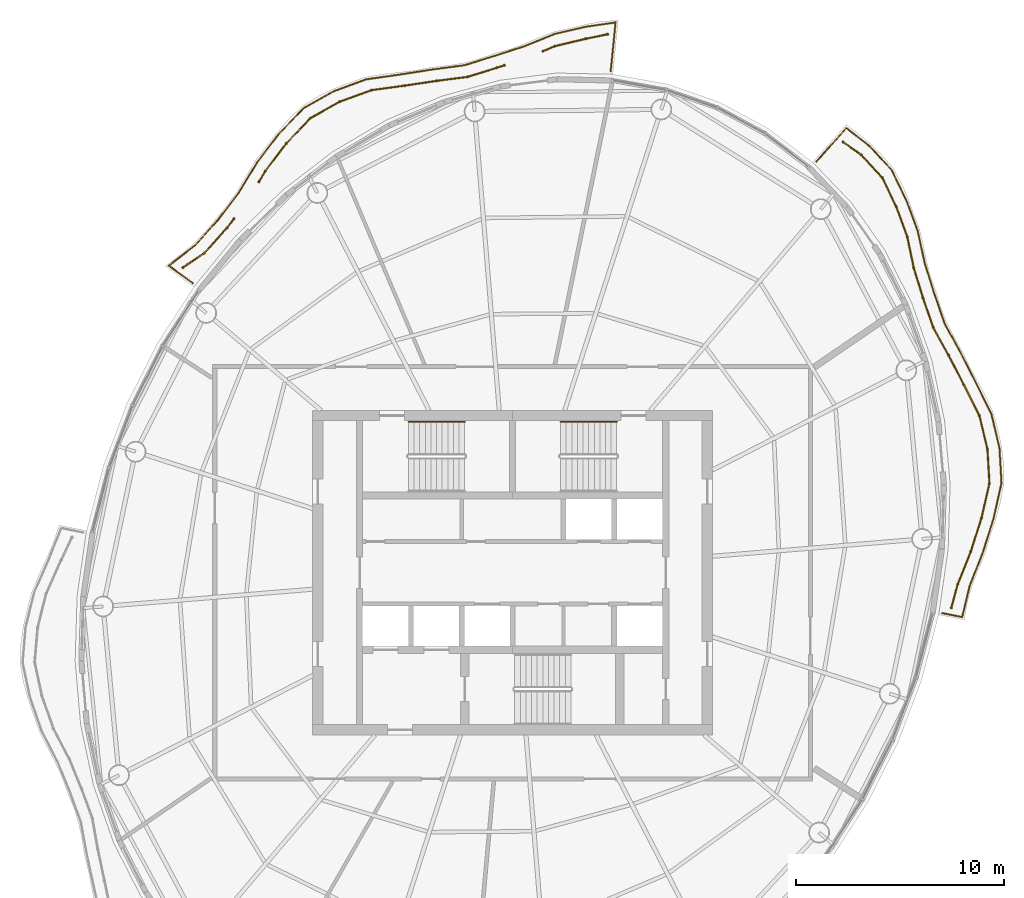
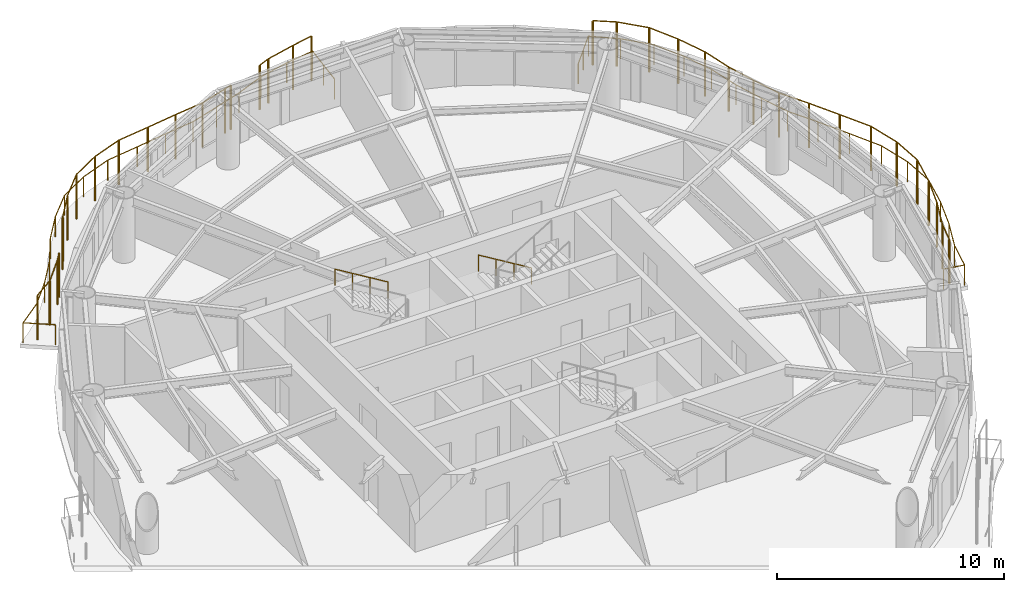
# One storey, part 13 of 13: 8 railings.
"""IFC4 building model written with IfcOpenShell, lengths in metres."""

from ifc_helpers import new_model, si_unit, direction, frame, origin, origin_2d, place, context, subcontext, project, spatial, circle, extrude, material, type_object, element, save


model = new_model("IFC4")

# Units and contexts
model_context = context("Model", 3, precision=1e-05, world=origin(), true_north=direction((0.0, 1.0)))
body_context = subcontext(model_context, "Body", "Model", "MODEL_VIEW")
ifc_project = project(units=[si_unit("LENGTHUNIT", "METRE"), si_unit("AREAUNIT", "SQUARE_METRE"), si_unit("VOLUMEUNIT", "CUBIC_METRE"), si_unit("PLANEANGLEUNIT", "RADIAN"), si_unit("MASSUNIT", "GRAM", prefix="KILO")], contexts=[model_context])

# Site, building, storey
site_placement = place(None, origin())
site = spatial("IfcSite", under=ifc_project, at=site_placement, CompositionType="ELEMENT")
building_placement = place(site_placement, origin())
building = spatial("IfcBuilding", under=site, at=building_placement, Name="Vermilion Reach Broadcast Tower", CompositionType="ELEMENT")
storey_placement = place(building_placement, frame((0.0, 0.0, 297.300048828125)))
storey = spatial("IfcBuildingStorey", under=building, at=storey_placement, Name="L74", CompositionType="ELEMENT", Elevation=297.300048828125)

# Railings
ifc_material_1 = material(Name="Terracotta baguette", Category="masonry")
railing_type_1 = type_object("IfcRailingType", Name="BAGUETTE SCREEN", PredefinedType="USERDEFINED", material=ifc_material_1)
railing_1_placement = place(storey_placement, frame((-1.44384765625, 25.855712890625, 0.0)))
element("IfcRailing", 1, at=railing_1_placement, inside=storey, type_object=railing_type_1, Name="Baguette screen L74 group 1 part 1", ObjectType="BAGUETTE SCREEN", PredefinedType="USERDEFINED", context=body_context, shape_type="SweptSolid", body=[
    extrude(circle(Radius=0.030029296875, at=origin_2d()), frame((0.0, 0.0, 2.369873046875), z_axis=(-0.97933755678, -0.202232415505, 0.0), x_axis=(0.202232415505, -0.97933755678, 0.0)), (0.0, 0.0, 1.0), 1.081787109375),
    extrude(circle(Radius=0.030029296875, at=origin_2d()), frame((-1.059326171875, -0.21875, 2.369873046875), z_axis=(-0.972605264394, -0.232462899563, 0.0), x_axis=(0.232462899563, -0.972605264394, 0.0)), (0.0, 0.0, 1.0), 1.501953125),
    extrude(circle(Radius=0.030029296875, at=origin_2d()), frame((-2.52001953125, -0.56787109375, 2.369873046875), z_axis=(-0.923100046432, -0.384559883865, 0.0), x_axis=(0.384559883865, -0.923100046432, 0.0)), (0.0, 0.0, 1.0), 0.624755859375),
    extrude(circle(Radius=0.050048828125, at=origin_2d()), origin(), (0.0, 0.0, 1.0), 2.33984375),
    extrude(circle(Radius=0.050048828125, at=origin_2d()), frame((-1.059326171875, -0.21875, 0.0)), (0.0, 0.0, 1.0), 2.33984375),
    extrude(circle(Radius=0.050048828125, at=origin_2d()), frame((-2.52001953125, -0.56787109375, 0.0)), (0.0, 0.0, 1.0), 2.33984375),
    extrude(circle(Radius=0.050048828125, at=origin_2d()), frame((-3.0966796875, -0.80810546875, 0.0)), (0.0, 0.0, 1.0), 2.33984375),
])
railing_2_placement = place(storey_placement, frame((-6.3984375, 24.365234375, 0.0)))
element("IfcRailing", 2, at=railing_2_placement, inside=storey, type_object=railing_type_1, Name="Baguette screen L74 group 1 part 2", ObjectType="BAGUETTE SCREEN", PredefinedType="USERDEFINED", context=body_context, shape_type="SweptSolid", body=[
    extrude(circle(Radius=0.030029296875, at=origin_2d()), frame((0.0, 0.0, 2.369873046875), z_axis=(-0.950506129401, -0.310705806142, 0.0), x_axis=(0.310705806142, -0.950506129401, 0.0)), (0.0, 0.0, 1.0), 0.385009765625),
    extrude(circle(Radius=0.030029296875, at=origin_2d()), frame((-0.365966796875, -0.11962890625, 2.369873046875), z_axis=(-0.95472002098, -0.297505767237, 0.0), x_axis=(0.297505767237, -0.95472002098, 0.0)), (0.0, 0.0, 1.0), 1.464111328125),
    extrude(circle(Radius=0.030029296875, at=origin_2d()), frame((-1.763671875, -0.55517578125, 2.369873046875), z_axis=(-0.991891751062, -0.127085617501, 0.0), x_axis=(0.127085617501, -0.991891751062, 0.0)), (0.0, 0.0, 1.0), 1.48681640625),
    extrude(circle(Radius=0.030029296875, at=origin_2d()), frame((-3.238525390625, -0.744140625, 2.369873046875), z_axis=(-0.989034819561, -0.147682516556, 0.0), x_axis=(0.147682516556, -0.989034819561, 0.0)), (0.0, 0.0, 1.0), 1.560546875),
    extrude(circle(Radius=0.030029296875, at=origin_2d()), frame((-4.781982421875, -0.974609375, 2.369873046875), z_axis=(-0.990820065894, -0.13518726649, 0.0), x_axis=(0.13518726649, -0.990820065894, 0.0)), (0.0, 0.0, 1.0), 1.6181640625),
    extrude(circle(Radius=0.030029296875, at=origin_2d()), frame((-6.38525390625, -1.193359375, 2.369873046875), z_axis=(-0.939265855243, -0.343190403675, 0.0), x_axis=(0.343190403675, -0.939265855243, 0.0)), (0.0, 0.0, 1.0), 1.624755859375),
    extrude(circle(Radius=0.030029296875, at=origin_2d()), frame((-7.911376953125, -1.7509765625, 2.369873046875), z_axis=(-0.8715391604, -0.49032590375, 0.0), x_axis=(0.49032590375, -0.8715391604, 0.0)), (0.0, 0.0, 1.0), 1.61328125),
    extrude(circle(Radius=0.030029296875, at=origin_2d()), frame((-9.3173828125, -2.5419921875, 2.369873046875), z_axis=(-0.689929158871, -0.723876892669, 0.0), x_axis=(0.723876892669, -0.689929158871, 0.0)), (0.0, 0.0, 1.0), 1.66845703125),
    extrude(circle(Radius=0.030029296875, at=origin_2d()), frame((-10.468505859375, -3.749755859375, 2.369873046875), z_axis=(-0.605582543309, -0.795782497445, 0.0), x_axis=(0.795782497445, -0.605582543309, 0.0)), (0.0, 0.0, 1.0), 1.660888671875),
    extrude(circle(Radius=0.030029296875, at=origin_2d()), frame((-11.474365234375, -5.071533203125, 2.369873046875), z_axis=(-0.510994922558, -0.859583730139, 0.0), x_axis=(0.859583730139, -0.510994922558, 0.0)), (0.0, 0.0, 1.0), 0.605712890625),
    extrude(circle(Radius=0.050048828125, at=origin_2d()), origin(), (0.0, 0.0, 1.0), 2.33984375),
    extrude(circle(Radius=0.050048828125, at=origin_2d()), frame((-0.365966796875, -0.11962890625, 0.0)), (0.0, 0.0, 1.0), 2.33984375),
    extrude(circle(Radius=0.050048828125, at=origin_2d()), frame((-1.763671875, -0.55517578125, 0.0)), (0.0, 0.0, 1.0), 2.33984375),
    extrude(circle(Radius=0.050048828125, at=origin_2d()), frame((-3.238525390625, -0.744140625, 0.0)), (0.0, 0.0, 1.0), 2.33984375),
    extrude(circle(Radius=0.050048828125, at=origin_2d()), frame((-4.781982421875, -0.974609375, 0.0)), (0.0, 0.0, 1.0), 2.33984375),
    extrude(circle(Radius=0.050048828125, at=origin_2d()), frame((-6.38525390625, -1.193359375, 0.0)), (0.0, 0.0, 1.0), 2.33984375),
    extrude(circle(Radius=0.050048828125, at=origin_2d()), frame((-7.911376953125, -1.7509765625, 0.0)), (0.0, 0.0, 1.0), 2.33984375),
    extrude(circle(Radius=0.050048828125, at=origin_2d()), frame((-9.3173828125, -2.5419921875, 0.0)), (0.0, 0.0, 1.0), 2.33984375),
    extrude(circle(Radius=0.050048828125, at=origin_2d()), frame((-10.468505859375, -3.749755859375, 0.0)), (0.0, 0.0, 1.0), 2.33984375),
    extrude(circle(Radius=0.050048828125, at=origin_2d()), frame((-11.474365234375, -5.071533203125, 0.0)), (0.0, 0.0, 1.0), 2.33984375),
    extrude(circle(Radius=0.050048828125, at=origin_2d()), frame((-11.783935546875, -5.59228515625, 0.0)), (0.0, 0.0, 1.0), 2.33984375),
])
railing_3_placement = place(storey_placement, frame((-19.382568359375, 16.9951171875, 0.0)))
element("IfcRailing", 3, at=railing_3_placement, inside=storey, type_object=railing_type_1, Name="Baguette screen L74 group 1 part 3", ObjectType="BAGUETTE SCREEN", PredefinedType="USERDEFINED", context=body_context, shape_type="SweptSolid", body=[
    extrude(circle(Radius=0.030029296875, at=origin_2d()), frame((0.0, 0.0, 2.369873046875), z_axis=(-0.607235425332, -0.794521955783, 0.0), x_axis=(0.794521955783, -0.607235425332, 0.0)), (0.0, 0.0, 1.0), 0.548828125),
    extrude(circle(Radius=0.030029296875, at=origin_2d()), frame((-0.333251953125, -0.43603515625, 2.369873046875), z_axis=(-0.668123671576, -0.74405023989, 0.0), x_axis=(0.74405023989, -0.668123671576, 0.0)), (0.0, 0.0, 1.0), 1.62060546875),
    extrude(circle(Radius=0.030029296875, at=origin_2d()), frame((-1.416015625, -1.641845703125, 2.369873046875), z_axis=(-0.829475881289, -0.558542534066, 0.0), x_axis=(0.558542534066, -0.829475881289, 0.0)), (0.0, 0.0, 1.0), 1.244384765625),
    extrude(circle(Radius=0.050048828125, at=origin_2d()), origin(), (0.0, 0.0, 1.0), 2.33984375),
    extrude(circle(Radius=0.050048828125, at=origin_2d()), frame((-0.333251953125, -0.43603515625, 0.0)), (0.0, 0.0, 1.0), 2.33984375),
    extrude(circle(Radius=0.050048828125, at=origin_2d()), frame((-1.416015625, -1.641845703125, 0.0)), (0.0, 0.0, 1.0), 2.33984375),
    extrude(circle(Radius=0.050048828125, at=origin_2d()), frame((-2.4482421875, -2.3369140625, 0.0)), (0.0, 0.0, 1.0), 2.33984375),
])
railing_4_placement = place(storey_placement, frame((15.065673828125, -1.6884765625, 0.0)))
element("IfcRailing", 4, at=railing_4_placement, inside=storey, type_object=railing_type_1, Name="Baguette screen L74 group 4", ObjectType="BAGUETTE SCREEN", PredefinedType="USERDEFINED", context=body_context, shape_type="SweptSolid", body=[
    extrude(circle(Radius=0.030029296875, at=origin_2d()), frame((0.0, 0.0, 2.369873046875), z_axis=(0.25998836754, 0.96561174845, 0.0), x_axis=(-0.96561174845, 0.25998836754, 0.0)), (0.0, 0.0, 1.0), 1.17578125),
    extrude(circle(Radius=0.030029296875, at=origin_2d()), frame((0.3056640625, 1.13525390625, 2.369873046875), z_axis=(0.372010901115, 0.928228360616, 0.0), x_axis=(-0.928228360616, 0.372010901115, 0.0)), (0.0, 0.0, 1.0), 1.696533203125),
    extrude(circle(Radius=0.030029296875, at=origin_2d()), frame((0.936767578125, 2.7099609375, 2.369873046875), z_axis=(0.304098810256, 0.952640495466, 0.0), x_axis=(-0.952640495466, 0.304098810256, 0.0)), (0.0, 0.0, 1.0), 1.6884765625),
    extrude(circle(Radius=0.030029296875, at=origin_2d()), frame((1.4501953125, 4.318359375, 2.369873046875), z_axis=(0.223310944775, 0.974747260547, 0.0), x_axis=(-0.974747260547, 0.223310944775, 0.0)), (0.0, 0.0, 1.0), 1.704345703125),
    extrude(circle(Radius=0.030029296875, at=origin_2d()), frame((1.830810546875, 5.979736328125, 2.369873046875), z_axis=(-0.057998436291, 0.998316673901, 0.0), x_axis=(-0.998316673901, -0.057998436291, 0.0)), (0.0, 0.0, 1.0), 1.6416015625),
    extrude(circle(Radius=0.030029296875, at=origin_2d()), frame((1.735595703125, 7.61865234375, 2.369873046875), z_axis=(-0.232333114234, 0.972636275301, 0.0), x_axis=(-0.972636275301, -0.232333114234, 0.0)), (0.0, 0.0, 1.0), 1.65185546875),
    extrude(circle(Radius=0.030029296875, at=origin_2d()), frame((1.351806640625, 9.225341796875, 2.369873046875), z_axis=(-0.45051817672, 0.892767255473, 0.0), x_axis=(-0.892767255473, -0.45051817672, 0.0)), (0.0, 0.0, 1.0), 1.6533203125),
    extrude(circle(Radius=0.030029296875, at=origin_2d()), frame((0.60693359375, 10.701416015625, 2.369873046875), z_axis=(-0.459150006577, 0.888358751553, 0.0), x_axis=(-0.888358751553, -0.459150006577, 0.0)), (0.0, 0.0, 1.0), 1.6064453125),
    extrude(circle(Radius=0.030029296875, at=origin_2d()), frame((-0.130615234375, 12.12841796875, 2.369873046875), z_axis=(-0.483477359201, 0.875356866164, 0.0), x_axis=(-0.875356866164, -0.483477359201, 0.0)), (0.0, 0.0, 1.0), 1.532470703125),
    extrude(circle(Radius=0.030029296875, at=origin_2d()), frame((-0.87158203125, 13.469970703125, 2.369873046875), z_axis=(-0.325362346459, 0.945589415924, 0.0), x_axis=(-0.945589415924, -0.325362346459, 0.0)), (0.0, 0.0, 1.0), 1.4970703125),
    extrude(circle(Radius=0.030029296875, at=origin_2d()), frame((-1.358642578125, 14.885498046875, 2.369873046875), z_axis=(-0.295289862189, 0.955407712596, 0.0), x_axis=(-0.955407712596, -0.295289862189, 0.0)), (0.0, 0.0, 1.0), 1.481689453125),
    extrude(circle(Radius=0.030029296875, at=origin_2d()), frame((-1.796142578125, 16.301025390625, 2.369873046875), z_axis=(-0.206348985523, 0.978478459739, 0.0), x_axis=(-0.978478459739, -0.206348985523, 0.0)), (0.0, 0.0, 1.0), 1.56298828125),
    extrude(circle(Radius=0.030029296875, at=origin_2d()), frame((-2.11865234375, 17.830322265625, 2.369873046875), z_axis=(-0.344682283251, 0.938719406219, 0.0), x_axis=(-0.938719406219, -0.344682283251, 0.0)), (0.0, 0.0, 1.0), 1.5263671875),
    extrude(circle(Radius=0.030029296875, at=origin_2d()), frame((-2.644775390625, 19.26318359375, 2.369873046875), z_axis=(-0.431957297689, 0.901894058619, 0.0), x_axis=(-0.901894058619, -0.431957297689, 0.0)), (0.0, 0.0, 1.0), 1.54931640625),
    extrude(circle(Radius=0.030029296875, at=origin_2d()), frame((-3.31396484375, 20.660400390625, 2.369873046875), z_axis=(-0.679294329989, 0.733865936834, 0.0), x_axis=(-0.733865936834, -0.679294329989, 0.0)), (0.0, 0.0, 1.0), 1.498779296875),
    extrude(circle(Radius=0.030029296875, at=origin_2d()), frame((-4.33203125, 21.76025390625, 2.369873046875), z_axis=(-0.816974248245, 0.576674152103, 0.0), x_axis=(-0.576674152103, -0.816974248245, 0.0)), (0.0, 0.0, 1.0), 1.0595703125),
    extrude(circle(Radius=0.050048828125, at=origin_2d()), origin(), (0.0, 0.0, 1.0), 2.33984375),
    extrude(circle(Radius=0.050048828125, at=origin_2d()), frame((0.3056640625, 1.13525390625, 0.0)), (0.0, 0.0, 1.0), 2.33984375),
    extrude(circle(Radius=0.050048828125, at=origin_2d()), frame((0.936767578125, 2.7099609375, 0.0)), (0.0, 0.0, 1.0), 2.33984375),
    extrude(circle(Radius=0.050048828125, at=origin_2d()), frame((1.4501953125, 4.318359375, 0.0)), (0.0, 0.0, 1.0), 2.33984375),
    extrude(circle(Radius=0.050048828125, at=origin_2d()), frame((1.830810546875, 5.979736328125, 0.0)), (0.0, 0.0, 1.0), 2.33984375),
    extrude(circle(Radius=0.050048828125, at=origin_2d()), frame((1.735595703125, 7.61865234375, 0.0)), (0.0, 0.0, 1.0), 2.33984375),
    extrude(circle(Radius=0.050048828125, at=origin_2d()), frame((1.351806640625, 9.225341796875, 0.0)), (0.0, 0.0, 1.0), 2.33984375),
    extrude(circle(Radius=0.050048828125, at=origin_2d()), frame((0.60693359375, 10.701416015625, 0.0)), (0.0, 0.0, 1.0), 2.33984375),
    extrude(circle(Radius=0.050048828125, at=origin_2d()), frame((-0.130615234375, 12.12841796875, 0.0)), (0.0, 0.0, 1.0), 2.33984375),
    extrude(circle(Radius=0.050048828125, at=origin_2d()), frame((-0.87158203125, 13.469970703125, 0.0)), (0.0, 0.0, 1.0), 2.33984375),
    extrude(circle(Radius=0.050048828125, at=origin_2d()), frame((-1.358642578125, 14.885498046875, 0.0)), (0.0, 0.0, 1.0), 2.33984375),
    extrude(circle(Radius=0.050048828125, at=origin_2d()), frame((-1.796142578125, 16.301025390625, 0.0)), (0.0, 0.0, 1.0), 2.33984375),
    extrude(circle(Radius=0.050048828125, at=origin_2d()), frame((-2.11865234375, 17.830322265625, 0.0)), (0.0, 0.0, 1.0), 2.33984375),
    extrude(circle(Radius=0.050048828125, at=origin_2d()), frame((-2.644775390625, 19.26318359375, 0.0)), (0.0, 0.0, 1.0), 2.33984375),
    extrude(circle(Radius=0.050048828125, at=origin_2d()), frame((-3.31396484375, 20.660400390625, 0.0)), (0.0, 0.0, 1.0), 2.33984375),
    extrude(circle(Radius=0.050048828125, at=origin_2d()), frame((-4.33203125, 21.76025390625, 0.0)), (0.0, 0.0, 1.0), 2.33984375),
    extrude(circle(Radius=0.050048828125, at=origin_2d()), frame((-5.19775390625, 22.371337890625, 0.0)), (0.0, 0.0, 1.0), 2.33984375),
])
ifc_material_2 = material(Name="Stainless steel 316 balustrade", Category="steel")
railing_type_2 = type_object("IfcRailingType", Name="Balcony guard 1100", PredefinedType="BALUSTRADE", material=ifc_material_2)
railing_5_placement = place(storey_placement, frame((-1.289306640625, 24.08740234375, 0.0)))
element("IfcRailing", 5, at=railing_5_placement, inside=storey, type_object=railing_type_2, Name="Balcony guard L74 group 1", PredefinedType="BALUSTRADE", context=body_context, shape_type="SweptSolid", body=[
    extrude(circle(Radius=0.02490234375, at=origin_2d()), frame((0.0, 0.0, 1.0751953125), z_axis=(0.099123078461, 0.995075180736, 0.0), x_axis=(-0.995075180736, 0.099123078461, 0.0)), (0.0, 0.0, 1.0), 2.349609375),
    extrude(circle(Radius=0.02490234375, at=origin_2d()), frame((0.23291015625, 2.338134765625, 1.0751953125), z_axis=(-0.989596035924, -0.143873853367, 0.0), x_axis=(0.143873853367, -0.989596035924, 0.0)), (0.0, 0.0, 1.0), 1.44921875),
    extrude(circle(Radius=0.02490234375, at=origin_2d()), frame((-1.201171875, 2.129638671875, 1.0751953125), z_axis=(-0.973957706357, -0.226729764759, 0.0), x_axis=(0.226729764759, -0.973957706357, 0.0)), (0.0, 0.0, 1.0), 1.544189453125),
    extrude(circle(Radius=0.02490234375, at=origin_2d()), frame((-2.705078125, 1.779541015625, 1.0751953125), z_axis=(-0.926304558002, -0.376775617343, 0.0), x_axis=(0.376775617343, -0.926304558002, 0.0)), (0.0, 0.0, 1.0), 1.5771484375),
    extrude(circle(Radius=0.02490234375, at=origin_2d()), frame((-4.166015625, 1.185302734375, 1.0751953125), z_axis=(-0.951834717647, -0.306611595153, 0.0), x_axis=(0.306611595153, -0.951834717647, 0.0)), (0.0, 0.0, 1.0), 1.495361328125),
    extrude(circle(Radius=0.02490234375, at=origin_2d()), frame((-5.58935546875, 0.726806640625, 1.0751953125), z_axis=(-0.95527607175, -0.295715448939, 0.0), x_axis=(0.295715448939, -0.95527607175, 0.0)), (0.0, 0.0, 1.0), 1.505126953125),
    extrude(circle(Radius=0.02490234375, at=origin_2d()), frame((-7.027099609375, 0.28173828125, 1.0751953125), z_axis=(-0.991308784216, -0.131555670104, 0.0), x_axis=(0.131555670104, -0.991308784216, 0.0)), (0.0, 0.0, 1.0), 1.525390625),
    extrude(circle(Radius=0.02490234375, at=origin_2d()), frame((-8.539306640625, 0.0810546875, 1.0751953125), z_axis=(-0.988226500773, -0.152997984205, 0.0), x_axis=(0.152997984205, -0.988226500773, 0.0)), (0.0, 0.0, 1.0), 1.598876953125),
    extrude(circle(Radius=0.02490234375, at=origin_2d()), frame((-10.119384765625, -0.16357421875, 1.0751953125), z_axis=(-0.989884430371, -0.141876053331, 0.0), x_axis=(0.141876053331, -0.989884430371, 0.0)), (0.0, 0.0, 1.0), 1.65380859375),
    extrude(circle(Radius=0.02490234375, at=origin_2d()), frame((-11.75634765625, -0.398193359375, 1.0751953125), z_axis=(-0.938169904456, -0.346175144072, 0.0), x_axis=(0.346175144072, -0.938169904456, 0.0)), (0.0, 0.0, 1.0), 1.66162109375),
    extrude(circle(Radius=0.02490234375, at=origin_2d()), frame((-13.315185546875, -0.973388671875, 1.0751953125), z_axis=(-0.870981717267, -0.491315426367, 0.0), x_axis=(0.491315426367, -0.870981717267, 0.0)), (0.0, 0.0, 1.0), 1.648681640625),
    extrude(circle(Radius=0.02490234375, at=origin_2d()), frame((-14.751220703125, -1.783447265625, 1.0751953125), z_axis=(-0.692627303718, -0.721295652382, 0.0), x_axis=(0.721295652382, -0.692627303718, 0.0)), (0.0, 0.0, 1.0), 1.703125),
    extrude(circle(Radius=0.02490234375, at=origin_2d()), frame((-15.930908203125, -3.011962890625, 1.0751953125), z_axis=(-0.609320664207, -0.792923910707, 0.0), x_axis=(0.792923910707, -0.609320664207, 0.0)), (0.0, 0.0, 1.0), 1.694091796875),
    extrude(circle(Radius=0.02490234375, at=origin_2d()), frame((-16.963134765625, -4.355224609375, 1.0751953125), z_axis=(-0.515827419371, -0.856692519767, 0.0), x_axis=(0.856692519767, -0.515827419371, 0.0)), (0.0, 0.0, 1.0), 1.724609375),
    extrude(circle(Radius=0.02490234375, at=origin_2d()), frame((-17.852783203125, -5.832763671875, 1.0751953125), z_axis=(-0.609064438597, -0.793120740894, 0.0), x_axis=(0.793120740894, -0.609064438597, 0.0)), (0.0, 0.0, 1.0), 1.6435546875),
    extrude(circle(Radius=0.02490234375, at=origin_2d()), frame((-18.853759765625, -7.13623046875, 1.0751953125), z_axis=(-0.667903449989, -0.744247930123, 0.0), x_axis=(0.744247930123, -0.667903449989, 0.0)), (0.0, 0.0, 1.0), 1.6533203125),
    extrude(circle(Radius=0.02490234375, at=origin_2d()), frame((-19.9580078125, -8.36669921875, 1.0751953125), z_axis=(-0.790867170708, -0.611987841625, 0.0), x_axis=(0.611987841625, -0.790867170708, 0.0)), (0.0, 0.0, 1.0), 1.59423828125),
    extrude(circle(Radius=0.02490234375, at=origin_2d()), frame((-21.21875, -9.34228515625, 1.0751953125), z_axis=(0.807328439996, -0.590102355506, 0.0), x_axis=(0.590102355506, 0.807328439996, 0.0)), (0.0, 0.0, 1.0), 1.42724609375),
    extrude(circle(Radius=0.02490234375, at=origin_2d()), origin(), (0.0, 0.0, 1.0), 1.050048828125),
    extrude(circle(Radius=0.02490234375, at=origin_2d()), frame((0.116455078125, 1.1689453125, 0.0)), (0.0, 0.0, 1.0), 1.050048828125),
    extrude(circle(Radius=0.02490234375, at=origin_2d()), frame((0.23291015625, 2.338134765625, 0.0)), (0.0, 0.0, 1.0), 1.050048828125),
    extrude(circle(Radius=0.02490234375, at=origin_2d()), frame((-1.201171875, 2.129638671875, 0.0)), (0.0, 0.0, 1.0), 1.050048828125),
    extrude(circle(Radius=0.02490234375, at=origin_2d()), frame((-2.705078125, 1.779541015625, 0.0)), (0.0, 0.0, 1.0), 1.050048828125),
    extrude(circle(Radius=0.02490234375, at=origin_2d()), frame((-4.166015625, 1.185302734375, 0.0)), (0.0, 0.0, 1.0), 1.050048828125),
    extrude(circle(Radius=0.02490234375, at=origin_2d()), frame((-5.58935546875, 0.726806640625, 0.0)), (0.0, 0.0, 1.0), 1.050048828125),
    extrude(circle(Radius=0.02490234375, at=origin_2d()), frame((-7.027099609375, 0.28173828125, 0.0)), (0.0, 0.0, 1.0), 1.050048828125),
    extrude(circle(Radius=0.02490234375, at=origin_2d()), frame((-8.539306640625, 0.0810546875, 0.0)), (0.0, 0.0, 1.0), 1.050048828125),
    extrude(circle(Radius=0.02490234375, at=origin_2d()), frame((-10.119384765625, -0.16357421875, 0.0)), (0.0, 0.0, 1.0), 1.050048828125),
    extrude(circle(Radius=0.02490234375, at=origin_2d()), frame((-11.75634765625, -0.398193359375, 0.0)), (0.0, 0.0, 1.0), 1.050048828125),
    extrude(circle(Radius=0.02490234375, at=origin_2d()), frame((-13.315185546875, -0.973388671875, 0.0)), (0.0, 0.0, 1.0), 1.050048828125),
    extrude(circle(Radius=0.02490234375, at=origin_2d()), frame((-14.751220703125, -1.783447265625, 0.0)), (0.0, 0.0, 1.0), 1.050048828125),
    extrude(circle(Radius=0.02490234375, at=origin_2d()), frame((-15.930908203125, -3.011962890625, 0.0)), (0.0, 0.0, 1.0), 1.050048828125),
    extrude(circle(Radius=0.02490234375, at=origin_2d()), frame((-16.963134765625, -4.355224609375, 0.0)), (0.0, 0.0, 1.0), 1.050048828125),
    extrude(circle(Radius=0.02490234375, at=origin_2d()), frame((-17.852783203125, -5.832763671875, 0.0)), (0.0, 0.0, 1.0), 1.050048828125),
    extrude(circle(Radius=0.02490234375, at=origin_2d()), frame((-18.853759765625, -7.13623046875, 0.0)), (0.0, 0.0, 1.0), 1.050048828125),
    extrude(circle(Radius=0.02490234375, at=origin_2d()), frame((-19.9580078125, -8.36669921875, 0.0)), (0.0, 0.0, 1.0), 1.050048828125),
    extrude(circle(Radius=0.02490234375, at=origin_2d()), frame((-21.21875, -9.34228515625, 0.0)), (0.0, 0.0, 1.0), 1.050048828125),
    extrude(circle(Radius=0.02490234375, at=origin_2d()), frame((-20.06640625, -10.1845703125, 0.0)), (0.0, 0.0, 1.0), 1.050048828125),
])
railing_6_placement = place(storey_placement, frame((14.623779296875, -1.935791015625, 0.0)))
element("IfcRailing", 6, at=railing_6_placement, inside=storey, type_object=railing_type_2, Name="Balcony guard L74 group 4", PredefinedType="BALUSTRADE", context=body_context, shape_type="SweptSolid", body=[
    extrude(circle(Radius=0.02490234375, at=origin_2d()), frame((0.0, 0.0, 1.0751953125), z_axis=(0.980398693077, -0.197023863054, 0.0), x_axis=(0.197023863054, 0.980398693077, 0.0)), (0.0, 0.0, 1.0), 0.982666015625),
    extrude(circle(Radius=0.02490234375, at=origin_2d()), frame((0.96337890625, -0.193603515625, 1.0751953125), z_axis=(0.233246668005, 0.972417601581, 0.0), x_axis=(-0.972417601581, 0.233246668005, 0.0)), (0.0, 0.0, 1.0), 1.535400390625),
    extrude(circle(Radius=0.02490234375, at=origin_2d()), frame((1.321533203125, 1.299560546875, 1.0751953125), z_axis=(0.367343452972, 0.930085365737, 0.0), x_axis=(-0.930085365737, 0.367343452972, 0.0)), (0.0, 0.0, 1.0), 1.72802734375),
    extrude(circle(Radius=0.02490234375, at=origin_2d()), frame((1.956298828125, 2.90673828125, 1.0751953125), z_axis=(0.299616223749, 0.954059808642, 0.0), x_axis=(-0.954059808642, 0.299616223749, 0.0)), (0.0, 0.0, 1.0), 1.72021484375),
    extrude(circle(Radius=0.02490234375, at=origin_2d()), frame((2.4716796875, 4.5478515625, 1.0751953125), z_axis=(0.219191215006, 0.975681921153, 0.0), x_axis=(-0.975681921153, 0.219191215006, 0.0)), (0.0, 0.0, 1.0), 1.737548828125),
    extrude(circle(Radius=0.02490234375, at=origin_2d()), frame((2.8525390625, 6.2431640625, 1.0751953125), z_axis=(-0.057987491136, 0.998317309713, 0.0), x_axis=(-0.998317309713, -0.057987491136, 0.0)), (0.0, 0.0, 1.0), 1.67578125),
    extrude(circle(Radius=0.02490234375, at=origin_2d()), frame((2.75537109375, 7.916015625, 1.0751953125), z_axis=(-0.230087750031, 0.973169886138, 0.0), x_axis=(-0.973169886138, -0.230087750031, 0.0)), (0.0, 0.0, 1.0), 1.68701171875),
    extrude(circle(Radius=0.02490234375, at=origin_2d()), frame((2.3671875, 9.557861328125, 1.0751953125), z_axis=(-0.445070880381, 0.895495344174, 0.0), x_axis=(-0.895495344174, -0.445070880381, 0.0)), (0.0, 0.0, 1.0), 1.687255859375),
    extrude(circle(Radius=0.02490234375, at=origin_2d()), frame((1.6162109375, 11.06884765625, 1.0751953125), z_axis=(-0.454393318195, 0.890801163212, 0.0), x_axis=(-0.890801163212, -0.454393318195, 0.0)), (0.0, 0.0, 1.0), 1.642578125),
    extrude(circle(Radius=0.02490234375, at=origin_2d()), frame((0.869873046875, 12.531982421875, 1.0751953125), z_axis=(-0.479408037242, 0.877592122702, 0.0), x_axis=(-0.877592122702, -0.479408037242, 0.0)), (0.0, 0.0, 1.0), 1.569091796875),
    extrude(circle(Radius=0.02490234375, at=origin_2d()), frame((0.11767578125, 13.908935546875, 1.0751953125), z_axis=(-0.32626984069, 0.945276674342, 0.0), x_axis=(-0.945276674342, -0.32626984069, 0.0)), (0.0, 0.0, 1.0), 1.5361328125),
    extrude(circle(Radius=0.02490234375, at=origin_2d()), frame((-0.383544921875, 15.361083984375, 1.0751953125), z_axis=(-0.298686426461, 0.954351307773, 0.0), x_axis=(-0.954351307773, -0.298686426461, 0.0)), (0.0, 0.0, 1.0), 1.520263671875),
    extrude(circle(Radius=0.02490234375, at=origin_2d()), frame((-0.837646484375, 16.81201171875, 1.0751953125), z_axis=(-0.213751401857, 0.976888088884, 0.0), x_axis=(-0.976888088884, -0.213751401857, 0.0)), (0.0, 0.0, 1.0), 1.6025390625),
    extrude(circle(Radius=0.02490234375, at=origin_2d()), frame((-1.18017578125, 18.37744140625, 1.0751953125), z_axis=(-0.350286561684, 0.936642581086, 0.0), x_axis=(-0.936642581086, -0.350286561684, 0.0)), (0.0, 0.0, 1.0), 1.56689453125),
    extrude(circle(Radius=0.02490234375, at=origin_2d()), frame((-1.72900390625, 19.844970703125, 1.0751953125), z_axis=(-0.436935882427, 0.899492654027, 0.0), x_axis=(-0.899492654027, -0.436935882427, 0.0)), (0.0, 0.0, 1.0), 1.59130859375),
    extrude(circle(Radius=0.02490234375, at=origin_2d()), frame((-2.42431640625, 21.2763671875, 1.0751953125), z_axis=(-0.678937449569, 0.734196117923, 0.0), x_axis=(-0.734196117923, -0.678937449569, 0.0)), (0.0, 0.0, 1.0), 1.5419921875),
    extrude(circle(Radius=0.02490234375, at=origin_2d()), frame((-3.47119140625, 22.408447265625, 1.0751953125), z_axis=(-0.787620306272, 0.616160898749, 0.0), x_axis=(-0.616160898749, -0.787620306272, 0.0)), (0.0, 0.0, 1.0), 1.4296875),
    extrude(circle(Radius=0.02490234375, at=origin_2d()), frame((-4.59716796875, 23.289306640625, 1.0751953125), z_axis=(-0.666930069275, -0.745120314243, 0.0), x_axis=(0.745120314243, -0.666930069275, 0.0)), (0.0, 0.0, 1.0), 2.163818359375),
    extrude(circle(Radius=0.02490234375, at=origin_2d()), origin(), (0.0, 0.0, 1.0), 1.050048828125),
    extrude(circle(Radius=0.02490234375, at=origin_2d()), frame((0.96337890625, -0.193603515625, 0.0)), (0.0, 0.0, 1.0), 1.050048828125),
    extrude(circle(Radius=0.02490234375, at=origin_2d()), frame((1.321533203125, 1.299560546875, 0.0)), (0.0, 0.0, 1.0), 1.050048828125),
    extrude(circle(Radius=0.02490234375, at=origin_2d()), frame((1.956298828125, 2.90673828125, 0.0)), (0.0, 0.0, 1.0), 1.050048828125),
    extrude(circle(Radius=0.02490234375, at=origin_2d()), frame((2.4716796875, 4.5478515625, 0.0)), (0.0, 0.0, 1.0), 1.050048828125),
    extrude(circle(Radius=0.02490234375, at=origin_2d()), frame((2.8525390625, 6.2431640625, 0.0)), (0.0, 0.0, 1.0), 1.050048828125),
    extrude(circle(Radius=0.02490234375, at=origin_2d()), frame((2.75537109375, 7.916015625, 0.0)), (0.0, 0.0, 1.0), 1.050048828125),
    extrude(circle(Radius=0.02490234375, at=origin_2d()), frame((2.3671875, 9.557861328125, 0.0)), (0.0, 0.0, 1.0), 1.050048828125),
    extrude(circle(Radius=0.02490234375, at=origin_2d()), frame((1.6162109375, 11.06884765625, 0.0)), (0.0, 0.0, 1.0), 1.050048828125),
    extrude(circle(Radius=0.02490234375, at=origin_2d()), frame((0.869873046875, 12.531982421875, 0.0)), (0.0, 0.0, 1.0), 1.050048828125),
    extrude(circle(Radius=0.02490234375, at=origin_2d()), frame((0.11767578125, 13.908935546875, 0.0)), (0.0, 0.0, 1.0), 1.050048828125),
    extrude(circle(Radius=0.02490234375, at=origin_2d()), frame((-0.383544921875, 15.361083984375, 0.0)), (0.0, 0.0, 1.0), 1.050048828125),
    extrude(circle(Radius=0.02490234375, at=origin_2d()), frame((-0.837646484375, 16.81201171875, 0.0)), (0.0, 0.0, 1.0), 1.050048828125),
    extrude(circle(Radius=0.02490234375, at=origin_2d()), frame((-1.18017578125, 18.37744140625, 0.0)), (0.0, 0.0, 1.0), 1.050048828125),
    extrude(circle(Radius=0.02490234375, at=origin_2d()), frame((-1.72900390625, 19.844970703125, 0.0)), (0.0, 0.0, 1.0), 1.050048828125),
    extrude(circle(Radius=0.02490234375, at=origin_2d()), frame((-2.42431640625, 21.2763671875, 0.0)), (0.0, 0.0, 1.0), 1.050048828125),
    extrude(circle(Radius=0.02490234375, at=origin_2d()), frame((-3.47119140625, 22.408447265625, 0.0)), (0.0, 0.0, 1.0), 1.050048828125),
    extrude(circle(Radius=0.02490234375, at=origin_2d()), frame((-4.59716796875, 23.289306640625, 0.0)), (0.0, 0.0, 1.0), 1.050048828125),
    extrude(circle(Radius=0.02490234375, at=origin_2d()), frame((-5.31884765625, 22.483154296875, 0.0)), (0.0, 0.0, 1.0), 1.050048828125),
    extrude(circle(Radius=0.02490234375, at=origin_2d()), frame((-6.040283203125, 21.677001953125, 0.0)), (0.0, 0.0, 1.0), 1.050048828125),
])
ifc_material_3 = material(Name="Stainless steel", Category="steel")
railing_type_3 = type_object("IfcRailingType", Name="Stair handrail", PredefinedType="HANDRAIL", material=ifc_material_3)
railing_7_placement = place(storey_placement, frame((-8.300048828125, 7.25, 1.963623046875)))
element("IfcRailing", 7, at=railing_7_placement, inside=storey, type_object=railing_type_3, Name="L74 ST1 stair handrail 2", PredefinedType="HANDRAIL", context=body_context, shape_type="SweptSolid", body=[
    extrude(circle(Radius=0.02392578125, at=origin_2d()), frame((0.0, 0.0, 0.8759765625), z_axis=(-0.855212373127, 0.0, 0.518277721738), x_axis=(0.0, -1.0, 0.0)), (0.0, 0.0, 1.0), 3.156982421875),
    extrude(circle(Radius=0.02099609375, at=origin_2d()), origin(), (0.0, 0.0, 1.0), 0.851806640625),
    extrude(circle(Radius=0.02099609375, at=origin_2d()), frame((-0.89990234375, 0.0, 0.54541015625)), (0.0, 0.0, 1.0), 0.851806640625),
    extrude(circle(Radius=0.02099609375, at=origin_2d()), frame((-1.800048828125, 0.0, 1.0908203125)), (0.0, 0.0, 1.0), 0.851806640625),
    extrude(circle(Radius=0.02099609375, at=origin_2d()), frame((-2.699951171875, 0.0, 1.63623046875)), (0.0, 0.0, 1.0), 0.851806640625),
])
railing_8_placement = place(storey_placement, frame((-1.0, 7.25, 0.16357421875)))
element("IfcRailing", 8, at=railing_8_placement, inside=storey, type_object=railing_type_3, Name="L74 ST2 stair handrail 1", PredefinedType="HANDRAIL", context=body_context, shape_type="SweptSolid", body=[
    extrude(circle(Radius=0.02392578125, at=origin_2d()), frame((0.0, 0.0, 0.8759765625), z_axis=(-0.855178096276, 0.0, 0.518334277904), x_axis=(0.0, -1.0, 0.0)), (0.0, 0.0, 1.0), 3.1572265625),
    extrude(circle(Radius=0.02099609375, at=origin_2d()), origin(), (0.0, 0.0, 1.0), 0.851806640625),
    extrude(circle(Radius=0.02099609375, at=origin_2d()), frame((-0.89990234375, 0.0, 0.54541015625)), (0.0, 0.0, 1.0), 0.851806640625),
    extrude(circle(Radius=0.02099609375, at=origin_2d()), frame((-1.800048828125, 0.0, 1.091064453125)), (0.0, 0.0, 1.0), 0.851806640625),
    extrude(circle(Radius=0.02099609375, at=origin_2d()), frame((-2.699951171875, 0.0, 1.636474609375)), (0.0, 0.0, 1.0), 0.851806640625),
])

save(model, "model.ifc")
